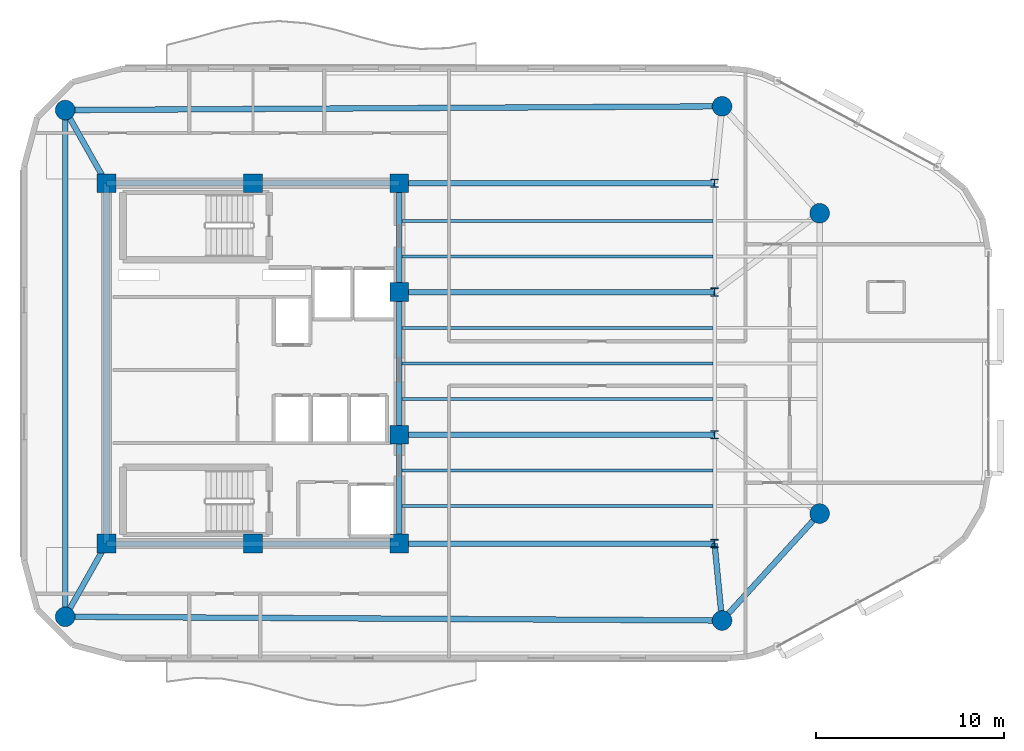
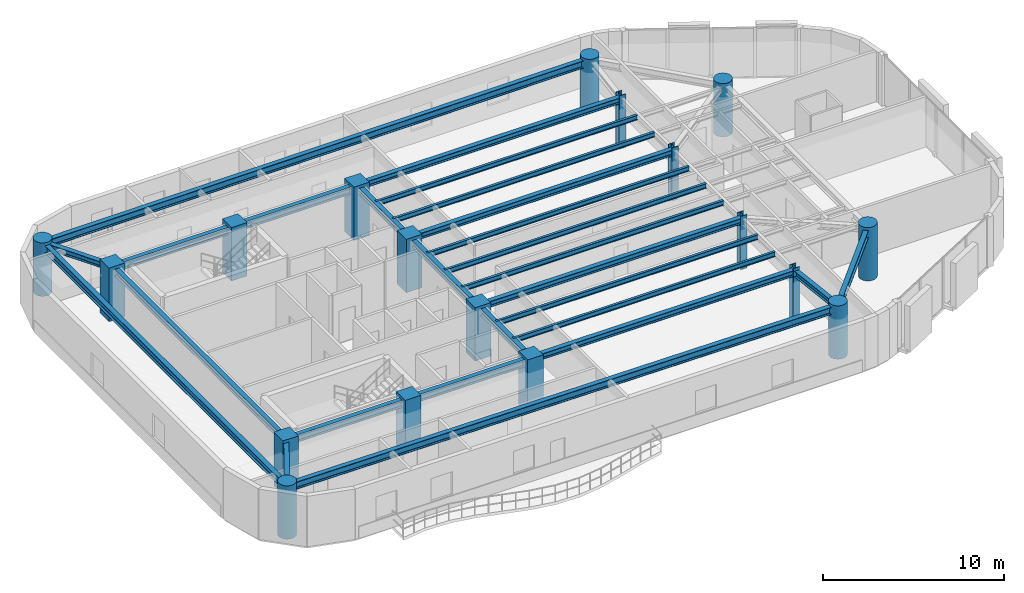
# One storey, part 1 of 13: 24 beams, 18 columns.
"""IFC4 building model written with IfcOpenShell, lengths in metres."""

import ifcopenshell
import ifcopenshell.guid

model = None  # the IFC model being written
_history = None  # IfcOwnerHistory: only IFC2X3 demands one
_inside = {}  # id of a spatial element -> (the spatial element, [elements in it])
_under = {}  # id of a project, library or spatial element -> (it, [spatial elements below it])
_declared = {}  # id of a project -> (the project, [libraries it declares])
_typed = {}  # id of a type object -> (the type object, [elements of that type])
_made_of = {}  # id of a material, layer set ... -> (it, [elements and type objects made of it])


def new_model(schema):
    """Start an empty IFC model of exactly this schema.

    Asked for "IFC4X3", IfcOpenShell would pick the latest addendum, in which some entities
    have other attributes; the version numbers below select the first issue.
    IFC2X3 requires an IfcOwnerHistory on every rooted entity: one is made here for all.
    """
    global model, _history
    if schema == "IFC4X3":
        model = ifcopenshell.file(schema_version=(4, 3, 0, 0))
    else:
        model = ifcopenshell.file(schema=schema)
    _inside.clear()
    _under.clear()
    _declared.clear()
    _typed.clear()
    _made_of.clear()
    _history = None
    if model.schema == "IFC2X3":
        org = make("IfcOrganization", Name="unknown")
        user = make(
            "IfcPersonAndOrganization",
            ThePerson=make("IfcPerson", FamilyName="unknown"),
            TheOrganization=org,
        )
        app = make(
            "IfcApplication",
            ApplicationDeveloper=org,
            Version="unknown",
            ApplicationFullName="unknown",
            ApplicationIdentifier="unknown",
        )
        _history = make(
            "IfcOwnerHistory",
            OwningUser=user,
            OwningApplication=app,
            ChangeAction="ADDED",
            CreationDate=0,
        )
    return model


def make(cls, **values):
    """One entity of the class cls with the attributes given. An attribute that is None is left unset."""
    return model.create_entity(
        cls, **{name: value for name, value in values.items() if value is not None}
    )


def rooted(cls, **values):
    """An entity with a GlobalId (a new one), such as an element, a storey or a relation."""
    return make(cls, GlobalId=ifcopenshell.guid.new(), OwnerHistory=_history, **values)


def si_unit(unit_type, name, prefix=None):
    """IfcSIUnit, for example si_unit("LENGTHUNIT", "METRE", prefix="MILLI")."""
    return make("IfcSIUnit", UnitType=unit_type, Prefix=prefix, Name=name)


def assignment(units):
    """IfcUnitAssignment: the units of a project."""
    return None if units is None else make("IfcUnitAssignment", Units=units)


def point(xyz):
    """IfcCartesianPoint."""
    return None if xyz is None else make("IfcCartesianPoint", Coordinates=xyz)


def direction(xyz):
    """IfcDirection."""
    return None if xyz is None else make("IfcDirection", DirectionRatios=xyz)


def frame(location, z_axis=None, x_axis=None):
    """IfcAxis2Placement3D, a coordinate frame: its origin and axes. An axis left out is left unset."""
    return make(
        "IfcAxis2Placement3D",
        Location=point(location),
        Axis=direction(z_axis),
        RefDirection=direction(x_axis),
    )


def frame_2d(location, x_axis=None):
    """IfcAxis2Placement2D, a coordinate frame in the plane: its origin and x axis."""
    return make(
        "IfcAxis2Placement2D", Location=point(location), RefDirection=direction(x_axis)
    )


def origin():
    """The frame at (0, 0, 0) with its axes left unset."""
    return frame((0.0, 0.0, 0.0))


def origin_2d():
    """The frame at (0, 0) in the plane with its x axis left unset."""
    return frame_2d((0.0, 0.0))


def place(relative_to, where):
    """IfcLocalPlacement: puts the frame where relative to a parent placement (None: the world)."""
    return make(
        "IfcLocalPlacement", PlacementRelTo=relative_to, RelativePlacement=where
    )


def context(
    kind, dimensions, precision=None, world=None, true_north=None, identifier=None
):
    """IfcGeometricRepresentationContext, for example the 3D "Model" context."""
    return make(
        "IfcGeometricRepresentationContext",
        ContextIdentifier=identifier,
        ContextType=kind,
        CoordinateSpaceDimension=dimensions,
        Precision=precision,
        WorldCoordinateSystem=world,
        TrueNorth=true_north,
    )


def subcontext(parent, identifier, kind, view, scale=None):
    """IfcGeometricRepresentationSubContext, for example "Body" below "Model"."""
    return make(
        "IfcGeometricRepresentationSubContext",
        ContextIdentifier=identifier,
        ContextType=kind,
        ParentContext=parent,
        TargetScale=scale,
        TargetView=view,
    )


def project(units=None, contexts=None):
    """IfcProject with its units and contexts."""
    return rooted(
        "IfcProject",
        Name="project",
        RepresentationContexts=contexts,
        UnitsInContext=assignment(units),
    )


def spatial(cls, under=None, at=None, **own):
    """A site, building, storey or space (cls), placed at a placement, below another one or the project."""
    s = rooted(cls, ObjectPlacement=at, **own)
    if under is not None:
        _under.setdefault(under.id(), (under, []))[1].append(s)
    return s


def profile(cls, at=None, kind="AREA", **sizes):
    """A parametric profile (cls). Its sizes go by their IFC names, for example OverallWidth=200.0."""
    return make(cls, ProfileType=kind, Position=at, **sizes)


def rectangle(**sizes):
    """IfcRectangleProfileDef."""
    return profile("IfcRectangleProfileDef", **sizes)


def circle(**sizes):
    """IfcCircleProfileDef."""
    return profile("IfcCircleProfileDef", **sizes)


def i_section(**sizes):
    """IfcIShapeProfileDef."""
    return profile("IfcIShapeProfileDef", **sizes)


def extrude(swept, where, along, depth):
    """IfcExtrudedAreaSolid: the profile swept, set in the frame where, extruded along a direction by depth."""
    return make(
        "IfcExtrudedAreaSolid",
        SweptArea=swept,
        Position=where,
        ExtrudedDirection=direction(along),
        Depth=depth,
    )


def shape(context_of_items, identifier, shape_type, items):
    """IfcShapeRepresentation: the items that make up one representation, for example the "Body"."""
    return make(
        "IfcShapeRepresentation",
        ContextOfItems=context_of_items,
        RepresentationIdentifier=identifier,
        RepresentationType=shape_type,
        Items=items,
    )


def material(Name=None, Category=None):
    """IfcMaterial."""
    return make("IfcMaterial", Name=Name, Category=Category)


def material_profile(
    of_material, cross_section, Name=None, Category=None, Priority=None
):
    """IfcMaterialProfile: a cross section and its material."""
    return make(
        "IfcMaterialProfile",
        Name=Name,
        Material=of_material,
        Profile=cross_section,
        Priority=Priority,
        Category=Category,
    )


def profile_set(profiles, Name=None, composite=None):
    """IfcMaterialProfileSet."""
    return make(
        "IfcMaterialProfileSet",
        Name=Name,
        MaterialProfiles=profiles,
        CompositeProfile=composite,
    )


def made_of(thing, what):
    """Note that an element or type object is made of a material, layer set ...; save() writes the relation."""
    if what is not None:
        _made_of.setdefault(what.id(), (what, []))[1].append(thing)
    return thing


def type_object(cls, material=None, **own):
    """A type object (cls), such as IfcWallType, which elements share."""
    return made_of(rooted(cls, **own), material)


def element(
    cls,
    number,
    at=None,
    inside=None,
    cuts=None,
    type_object=None,
    material=None,
    context=None,
    identifier="Body",
    shape_type=None,
    held_by="IfcProductDefinitionShape",
    body=None,
    shapes=None,
    **own,
):
    """One element of the class cls, such as IfcWall. Its Tag is "e" and its number.

    at: its placement. inside: the storey or other place that contains it. cuts: it is an
    opening in that element (IfcRelVoidsElement). A single representation is given by context,
    identifier, shape_type and body (its items); several are given by shapes. held_by: the class
    of the entity that holds the representations. save() writes the other relations.
    """
    e = rooted(cls, Tag="e%d" % number, ObjectPlacement=at, **own)
    if body is not None:
        shapes = [shape(context, identifier, shape_type, body)]
    if shapes is not None:
        e.Representation = make(held_by, Representations=shapes)
    if inside is not None:
        _inside.setdefault(inside.id(), (inside, []))[1].append(e)
    if cuts is not None:
        rooted(
            "IfcRelVoidsElement", RelatingBuildingElement=cuts, RelatedOpeningElement=e
        )
    if type_object is not None:
        _typed.setdefault(type_object.id(), (type_object, []))[1].append(e)
    return made_of(e, material)


def aggregate(whole, parts):
    """IfcRelAggregates: a whole, such as a stair, and the parts it consists of."""
    return rooted("IfcRelAggregates", RelatingObject=whole, RelatedObjects=parts)


def save(model, path):
    """Write the relations noted so far, then the file.

    IfcRelAggregates (storeys below a building ...), IfcRelContainedInSpatialStructure (elements
    in a storey), IfcRelDefinesByType, IfcRelAssociatesMaterial and IfcRelDeclares: one each for
    every whole, place, type object, material and project.
    """
    for whole, parts in _under.values():
        aggregate(whole, parts)
    for where, things in _inside.values():
        rooted(
            "IfcRelContainedInSpatialStructure",
            RelatedElements=things,
            RelatingStructure=where,
        )
    for kind, things in _typed.values():
        rooted("IfcRelDefinesByType", RelatedObjects=things, RelatingType=kind)
    for what, things in _made_of.values():
        rooted("IfcRelAssociatesMaterial", RelatedObjects=things, RelatingMaterial=what)
    for by, libraries in _declared.values():
        rooted("IfcRelDeclares", RelatingContext=by, RelatedDefinitions=libraries)
    model.write(path)


model = new_model("IFC4")

# Units and contexts
model_context = context("Model", 3, precision=1e-05, world=origin(), true_north=direction((0.0, 1.0)))
body_context = subcontext(model_context, "Body", "Model", "MODEL_VIEW")
ifc_project = project(units=[si_unit("LENGTHUNIT", "METRE"), si_unit("AREAUNIT", "SQUARE_METRE"), si_unit("VOLUMEUNIT", "CUBIC_METRE"), si_unit("PLANEANGLEUNIT", "RADIAN"), si_unit("MASSUNIT", "GRAM", prefix="KILO")], contexts=[model_context])

# Site, building, storey
site_placement = place(None, origin())
site = spatial("IfcSite", under=ifc_project, at=site_placement, CompositionType="ELEMENT")
building_placement = place(site_placement, origin())
building = spatial("IfcBuilding", under=site, at=building_placement, Name="An Khanh Terracotta Commons", CompositionType="ELEMENT")
storey_placement = place(building_placement, frame((0.0, 0.0, 226.5)))
storey = spatial("IfcBuildingStorey", under=building, at=storey_placement, Name="L59", CompositionType="ELEMENT", Elevation=226.5)

# Columns
ifc_material_1 = material(Name="Concrete C60/75", Category="concrete")
ifc_material_profile_1 = material_profile(ifc_material_1, circle(Radius=0.52490234375, at=origin_2d()), Name="CFST1050")
ifc_profile_set_1 = profile_set([ifc_material_profile_1], Name="Concrete C60/75")
column_type_1 = type_object("IfcColumnType", Name="COL-CFST1050", PredefinedType="COLUMN", material=ifc_profile_set_1)
for number, where, z_axis, x_axis, name in (
    (1, (19.39990234375, 10.5, 0.0), (0.0, 0.0, 1.0), (1.0, 0.0, 0.0), "L59 Perimeter CFST Mega-Column MC-01"),
    (2, (54.39990234375, 10.300048828125, 0.0), (0.0, 0.0, 1.0), (1.0, 0.0, 0.0), "L59 Perimeter CFST Mega-Column MC-02"),
    (3, (59.60009765625, 16.0, 0.0), (0.0, 0.0, 1.0), (1.0, 0.0, 0.0), "L59 Perimeter CFST Mega-Column MC-03"),
    (4, (59.60009765625, 32.0, 0.0), (0.0, 0.0, 1.0), (1.0, 0.0, 0.0), "L59 Perimeter CFST Mega-Column MC-04"),
    (5, (54.39990234375, 37.699951171875, 0.0), (0.0, 0.0, 1.0), (1.0, 0.0, 0.0), "L59 Perimeter CFST Mega-Column MC-05"),
    (6, (19.39990234375, 37.5, 0.0), (0.0, 0.0, 1.0), (1.0, 0.0, 0.0), "L59 Perimeter CFST Mega-Column MC-06"),
):
    element("IfcColumn", number, at=place(storey_placement, frame(where, z_axis=z_axis, x_axis=x_axis)), inside=storey, type_object=column_type_1, Name=name, PredefinedType="COLUMN", context=body_context, shape_type="SweptSolid", body=[
        extrude(circle(Radius=0.52490234375, at=origin_2d()), origin(), (0.0, 0.0, 1.0), 3.60009765625),
    ])
ifc_material_2 = material(Name="Steel S460ML", Category="steel")
ifc_material_profile_2 = material_profile(ifc_material_2, i_section(OverallWidth=0.406005859375, OverallDepth=0.43994140625, WebThickness=0.02392578125, FlangeThickness=0.0390625, FilletRadius=0.014892578125, at=origin_2d()), Name="HD400x314")
ifc_profile_set_2 = profile_set([ifc_material_profile_2], Name="Steel S460ML")
column_type_2 = type_object("IfcColumnType", Name="COL-HD400x314", PredefinedType="COLUMN", material=ifc_profile_set_2)
for number, where, z_axis, x_axis, name in (
    (7, (54.0, 14.39990234375, 0.0), (0.0, 0.0, 1.0), (1.0, 0.0, 0.0), "L59 Interior Frame Column TC-01"),
    (8, (54.0, 20.199951171875, 0.0), (0.0, 0.0, 1.0), (1.0, 0.0, 0.0), "L59 Interior Frame Column TC-02"),
    (9, (54.0, 27.800048828125, 0.0), (0.0, 0.0, 1.0), (1.0, 0.0, 0.0), "L59 Interior Frame Column TC-03"),
    (10, (54.0, 33.60009765625, 0.0), (0.0, 0.0, 1.0), (1.0, 0.0, 0.0), "L59 Interior Frame Column TC-04"),
):
    element("IfcColumn", number, at=place(storey_placement, frame(where, z_axis=z_axis, x_axis=x_axis)), inside=storey, type_object=column_type_2, Name=name, PredefinedType="COLUMN", context=body_context, shape_type="SweptSolid", body=[
        extrude(i_section(OverallWidth=0.406005859375, OverallDepth=0.43994140625, WebThickness=0.02392578125, FlangeThickness=0.0390625, FilletRadius=0.014892578125, at=origin_2d()), origin(), (0.0, 0.0, 1.0), 3.60009765625),
    ])
ifc_material_profile_3 = material_profile(ifc_material_1, rectangle(XDim=1.0, YDim=1.0, at=origin_2d()), Name="RC1000x1000")
ifc_profile_set_3 = profile_set([ifc_material_profile_3], Name="Concrete C60/75")
column_type_3 = type_object("IfcColumnType", Name="COL-RC1000x1000", PredefinedType="COLUMN", material=ifc_profile_set_3)
for number, where, z_axis, x_axis, name in (
    (11, (21.60009765625, 14.39990234375, 0.0), (0.0, 0.0, 1.0), (1.0, 0.0, 0.0), "L59 Core Boundary Column CC-01"),
    (12, (29.39990234375, 14.39990234375, 0.0), (0.0, 0.0, 1.0), (1.0, 0.0, 0.0), "L59 Core Boundary Column CC-02"),
    (13, (37.199951171875, 14.39990234375, 0.0), (0.0, 0.0, 1.0), (1.0, 0.0, 0.0), "L59 Core Boundary Column CC-03"),
    (14, (37.199951171875, 20.199951171875, 0.0), (0.0, 0.0, 1.0), (1.0, 0.0, 0.0), "L59 Core Boundary Column CC-04"),
    (15, (37.199951171875, 27.800048828125, 0.0), (0.0, 0.0, 1.0), (1.0, 0.0, 0.0), "L59 Core Boundary Column CC-05"),
    (16, (37.199951171875, 33.60009765625, 0.0), (0.0, 0.0, 1.0), (1.0, 0.0, 0.0), "L59 Core Boundary Column CC-06"),
    (17, (29.39990234375, 33.60009765625, 0.0), (0.0, 0.0, 1.0), (1.0, 0.0, 0.0), "L59 Core Boundary Column CC-07"),
    (18, (21.60009765625, 33.60009765625, 0.0), (0.0, 0.0, 1.0), (1.0, 0.0, 0.0), "L59 Core Boundary Column CC-08"),
):
    element("IfcColumn", number, at=place(storey_placement, frame(where, z_axis=z_axis, x_axis=x_axis)), inside=storey, type_object=column_type_3, Name=name, PredefinedType="COLUMN", context=body_context, shape_type="SweptSolid", body=[
        extrude(rectangle(XDim=1.0, YDim=1.0, at=origin_2d()), origin(), (0.0, 0.0, 1.0), 3.60009765625),
    ])

# Beams
ifc_material_3 = material(Name="Steel S355J2", Category="steel")
ifc_material_profile_4 = material_profile(ifc_material_3, i_section(OverallWidth=0.300048828125, OverallDepth=0.39990234375, WebThickness=0.013427734375, FlangeThickness=0.02392578125, FilletRadius=0.027099609375, at=origin_2d()), Name="HEB400")
ifc_profile_set_4 = profile_set([ifc_material_profile_4], Name="Steel S355J2")
beam_type_1 = type_object("IfcBeamType", Name="BM-HEB400", PredefinedType="BEAM", material=ifc_profile_set_4)
for number, where, z_axis, x_axis, name in (
    (19, (37.199951171875, 14.39990234375, 3.199951171875), (1.0, 0.0, 0.0), (0.0, 1.0, 0.0), "L59 East Primary Floor Girder 1"),
    (20, (37.199951171875, 20.199951171875, 3.199951171875), (1.0, 0.0, 0.0), (0.0, 1.0, 0.0), "L59 East Primary Floor Girder 2"),
    (21, (37.199951171875, 27.800048828125, 3.199951171875), (1.0, 0.0, 0.0), (0.0, 1.0, 0.0), "L59 East Primary Floor Girder 3"),
    (22, (37.199951171875, 33.60009765625, 3.199951171875), (1.0, 0.0, 0.0), (0.0, 1.0, 0.0), "L59 East Primary Floor Girder 4"),
):
    element("IfcBeam", number, at=place(storey_placement, frame(where, z_axis=z_axis, x_axis=x_axis)), inside=storey, type_object=beam_type_1, Name=name, PredefinedType="BEAM", context=body_context, shape_type="SweptSolid", body=[
        extrude(i_section(OverallWidth=0.300048828125, OverallDepth=0.39990234375, WebThickness=0.013427734375, FlangeThickness=0.02392578125, FilletRadius=0.027099609375, at=origin_2d()), origin(), (0.0, 0.0, 1.0), 16.800048828125),
    ])
beam_1_placement = place(storey_placement, frame((19.39990234375, 10.5, 3.199951171875), z_axis=(0.491363608436, 0.870954536302, 0.0), x_axis=(-0.870954536302, 0.491363608436, 0.0)))
element("IfcBeam", 23, at=beam_1_placement, inside=storey, type_object=beam_type_1, Name="L59 Mega-Column Tie Girder 1", PredefinedType="BEAM", context=body_context, shape_type="SweptSolid", body=[
    extrude(i_section(OverallWidth=0.300048828125, OverallDepth=0.39990234375, WebThickness=0.013427734375, FlangeThickness=0.02392578125, FilletRadius=0.027099609375, at=origin_2d()), origin(), (0.0, 0.0, 1.0), 4.477783203125),
])
beam_2_placement = place(storey_placement, frame((54.39990234375, 10.300048828125, 3.199951171875), z_axis=(-0.097079917443, 0.995276589511, 0.0), x_axis=(-0.995276589511, -0.097079917443, 0.0)))
element("IfcBeam", 24, at=beam_2_placement, inside=storey, type_object=beam_type_1, Name="L59 Mega-Column Tie Girder 2", PredefinedType="BEAM", context=body_context, shape_type="SweptSolid", body=[
    extrude(i_section(OverallWidth=0.300048828125, OverallDepth=0.39990234375, WebThickness=0.013427734375, FlangeThickness=0.02392578125, FilletRadius=0.027099609375, at=origin_2d()), origin(), (0.0, 0.0, 1.0), 4.119384765625),
])
beam_3_placement = place(storey_placement, frame((19.39990234375, 37.5, 3.199951171875), z_axis=(0.491363608436, -0.870954536302, 0.0), x_axis=(0.870954536302, 0.491363608436, 0.0)))
element("IfcBeam", 25, at=beam_3_placement, inside=storey, type_object=beam_type_1, Name="L59 Mega-Column Tie Girder 6", PredefinedType="BEAM", context=body_context, shape_type="SweptSolid", body=[
    extrude(i_section(OverallWidth=0.300048828125, OverallDepth=0.39990234375, WebThickness=0.013427734375, FlangeThickness=0.02392578125, FilletRadius=0.027099609375, at=origin_2d()), origin(), (0.0, 0.0, 1.0), 4.477783203125),
])
ifc_material_profile_5 = material_profile(ifc_material_3, i_section(OverallWidth=0.300048828125, OverallDepth=0.449951171875, WebThickness=0.013916015625, FlangeThickness=0.02587890625, FilletRadius=0.027099609375, at=origin_2d()), Name="HEB450")
ifc_profile_set_5 = profile_set([ifc_material_profile_5], Name="Steel S355J2")
beam_type_2 = type_object("IfcBeamType", Name="BM-HEB450", PredefinedType="BEAM", material=ifc_profile_set_5)
beam_4_placement = place(storey_placement, frame((37.199951171875, 14.39990234375, 3.175048828125), z_axis=(0.0, 1.0, 0.0), x_axis=(-1.0, 0.0, 0.0)))
element("IfcBeam", 26, at=beam_4_placement, inside=storey, type_object=beam_type_2, Name="L59 Core East Coupling Girder 1", PredefinedType="BEAM", context=body_context, shape_type="SweptSolid", body=[
    extrude(i_section(OverallWidth=0.300048828125, OverallDepth=0.449951171875, WebThickness=0.013916015625, FlangeThickness=0.02587890625, FilletRadius=0.027099609375, at=origin_2d()), origin(), (0.0, 0.0, 1.0), 5.800048828125),
])
beam_5_placement = place(storey_placement, frame((37.199951171875, 20.199951171875, 3.175048828125), z_axis=(0.0, 1.0, 0.0), x_axis=(-1.0, 0.0, 0.0)))
element("IfcBeam", 27, at=beam_5_placement, inside=storey, type_object=beam_type_2, Name="L59 Core East Coupling Girder 2", PredefinedType="BEAM", context=body_context, shape_type="SweptSolid", body=[
    extrude(i_section(OverallWidth=0.300048828125, OverallDepth=0.449951171875, WebThickness=0.013916015625, FlangeThickness=0.02587890625, FilletRadius=0.027099609375, at=origin_2d()), origin(), (0.0, 0.0, 1.0), 7.60009765625),
])
beam_6_placement = place(storey_placement, frame((37.199951171875, 27.800048828125, 3.175048828125), z_axis=(0.0, 1.0, 0.0), x_axis=(-1.0, 0.0, 0.0)))
element("IfcBeam", 28, at=beam_6_placement, inside=storey, type_object=beam_type_2, Name="L59 Core East Coupling Girder 3", PredefinedType="BEAM", context=body_context, shape_type="SweptSolid", body=[
    extrude(i_section(OverallWidth=0.300048828125, OverallDepth=0.449951171875, WebThickness=0.013916015625, FlangeThickness=0.02587890625, FilletRadius=0.027099609375, at=origin_2d()), origin(), (0.0, 0.0, 1.0), 5.800048828125),
])
beam_7_placement = place(storey_placement, frame((21.60009765625, 14.39990234375, 3.175048828125), z_axis=(0.0, 1.0, 0.0), x_axis=(-1.0, 0.0, 0.0)))
element("IfcBeam", 29, at=beam_7_placement, inside=storey, type_object=beam_type_2, Name="L59 Core West Coupling Girder", PredefinedType="BEAM", context=body_context, shape_type="SweptSolid", body=[
    extrude(i_section(OverallWidth=0.300048828125, OverallDepth=0.449951171875, WebThickness=0.013916015625, FlangeThickness=0.02587890625, FilletRadius=0.027099609375, at=origin_2d()), origin(), (0.0, 0.0, 1.0), 19.2001953125),
])
ifc_material_profile_6 = material_profile(ifc_material_3, i_section(OverallWidth=0.300048828125, OverallDepth=0.5, WebThickness=0.014404296875, FlangeThickness=0.028076171875, FilletRadius=0.027099609375, at=origin_2d()), Name="HEB500")
ifc_profile_set_6 = profile_set([ifc_material_profile_6], Name="Steel S355J2")
beam_type_3 = type_object("IfcBeamType", Name="BM-HEB500", PredefinedType="BEAM", material=ifc_profile_set_6)
for number, where, z_axis, x_axis, name in (
    (30, (21.60009765625, 14.39990234375, 3.14990234375), (1.0, 0.0, 0.0), (0.0, 1.0, 0.0), "L59 Core South Coupling Girder"),
    (31, (21.60009765625, 33.60009765625, 3.14990234375), (1.0, 0.0, 0.0), (0.0, 1.0, 0.0), "L59 Core North Coupling Girder"),
):
    element("IfcBeam", number, at=place(storey_placement, frame(where, z_axis=z_axis, x_axis=x_axis)), inside=storey, type_object=beam_type_3, Name=name, PredefinedType="BEAM", context=body_context, shape_type="SweptSolid", body=[
        extrude(i_section(OverallWidth=0.300048828125, OverallDepth=0.5, WebThickness=0.014404296875, FlangeThickness=0.028076171875, FilletRadius=0.027099609375, at=origin_2d()), origin(), (0.0, 0.0, 1.0), 15.599853515625),
    ])
beam_8_placement = place(storey_placement, frame((19.39990234375, 10.5, 3.14990234375), z_axis=(0.99998368184, -0.005712797401, 0.0), x_axis=(0.005712797401, 0.99998368184, 0.0)))
element("IfcBeam", 32, at=beam_8_placement, inside=storey, type_object=beam_type_3, Name="L59 Perimeter Ring Spandrel 1", PredefinedType="BEAM", context=body_context, shape_type="SweptSolid", body=[
    extrude(i_section(OverallWidth=0.300048828125, OverallDepth=0.5, WebThickness=0.014404296875, FlangeThickness=0.028076171875, FilletRadius=0.027099609375, at=origin_2d()), origin(), (0.0, 0.0, 1.0), 35.00048828125),
])
beam_9_placement = place(storey_placement, frame((54.39990234375, 10.300048828125, 3.14990234375), z_axis=(0.673978953902, 0.738750546326, 0.0), x_axis=(-0.738750546326, 0.673978953902, 0.0)))
element("IfcBeam", 33, at=beam_9_placement, inside=storey, type_object=beam_type_3, Name="L59 Perimeter Ring Spandrel 2", PredefinedType="BEAM", context=body_context, shape_type="SweptSolid", body=[
    extrude(i_section(OverallWidth=0.300048828125, OverallDepth=0.5, WebThickness=0.014404296875, FlangeThickness=0.028076171875, FilletRadius=0.027099609375, at=origin_2d()), origin(), (0.0, 0.0, 1.0), 7.715576171875),
])
beam_10_placement = place(storey_placement, frame((54.39990234375, 37.699951171875, 3.14990234375), z_axis=(-0.99998368184, -0.005712797401, 0.0), x_axis=(0.005712797401, -0.99998368184, 0.0)))
element("IfcBeam", 34, at=beam_10_placement, inside=storey, type_object=beam_type_3, Name="L59 Perimeter Ring Spandrel 5", PredefinedType="BEAM", context=body_context, shape_type="SweptSolid", body=[
    extrude(i_section(OverallWidth=0.300048828125, OverallDepth=0.5, WebThickness=0.014404296875, FlangeThickness=0.028076171875, FilletRadius=0.027099609375, at=origin_2d()), origin(), (0.0, 0.0, 1.0), 35.00048828125),
])
beam_11_placement = place(storey_placement, frame((19.39990234375, 37.5, 3.14990234375), z_axis=(0.0, -1.0, 0.0), x_axis=(1.0, 0.0, 0.0)))
element("IfcBeam", 35, at=beam_11_placement, inside=storey, type_object=beam_type_3, Name="L59 Perimeter Ring Spandrel 6", PredefinedType="BEAM", context=body_context, shape_type="SweptSolid", body=[
    extrude(i_section(OverallWidth=0.300048828125, OverallDepth=0.5, WebThickness=0.014404296875, FlangeThickness=0.028076171875, FilletRadius=0.027099609375, at=origin_2d()), origin(), (0.0, 0.0, 1.0), 27.0),
])
ifc_material_profile_7 = material_profile(ifc_material_3, i_section(OverallWidth=0.159912109375, OverallDepth=0.330078125, WebThickness=0.007568359375, FlangeThickness=0.011474609375, FilletRadius=0.01806640625, at=origin_2d()), Name="IPE330")
ifc_profile_set_7 = profile_set([ifc_material_profile_7], Name="Steel S355J2")
beam_type_4 = type_object("IfcBeamType", Name="BM-IPE330", PredefinedType="JOIST", material=ifc_profile_set_7)
for number, where, z_axis, x_axis, name in (
    (36, (37.199951171875, 16.39990234375, 3.235107421875), (1.0, 0.0, 0.0), (0.0, 1.0, 0.0), "L59 Inboard Composite Joist 1"),
    (37, (37.199951171875, 18.300048828125, 3.235107421875), (1.0, 0.0, 0.0), (0.0, 1.0, 0.0), "L59 Inboard Composite Joist 2"),
    (38, (37.199951171875, 22.10009765625, 3.235107421875), (1.0, 0.0, 0.0), (0.0, 1.0, 0.0), "L59 Inboard Composite Joist 3"),
    (39, (37.199951171875, 24.0, 3.235107421875), (1.0, 0.0, 0.0), (0.0, 1.0, 0.0), "L59 Inboard Composite Joist 4"),
    (40, (37.199951171875, 25.89990234375, 3.235107421875), (1.0, 0.0, 0.0), (0.0, 1.0, 0.0), "L59 Inboard Composite Joist 5"),
    (41, (37.199951171875, 29.699951171875, 3.235107421875), (1.0, 0.0, 0.0), (0.0, 1.0, 0.0), "L59 Inboard Composite Joist 6"),
    (42, (37.199951171875, 31.60009765625, 3.235107421875), (1.0, 0.0, 0.0), (0.0, 1.0, 0.0), "L59 Inboard Composite Joist 7"),
):
    element("IfcBeam", number, at=place(storey_placement, frame(where, z_axis=z_axis, x_axis=x_axis)), inside=storey, type_object=beam_type_4, Name=name, PredefinedType="JOIST", context=body_context, shape_type="SweptSolid", body=[
        extrude(i_section(OverallWidth=0.159912109375, OverallDepth=0.330078125, WebThickness=0.007568359375, FlangeThickness=0.011474609375, FilletRadius=0.01806640625, at=origin_2d()), origin(), (0.0, 0.0, 1.0), 16.705078125),
    ])

save(model, "model.ifc")
